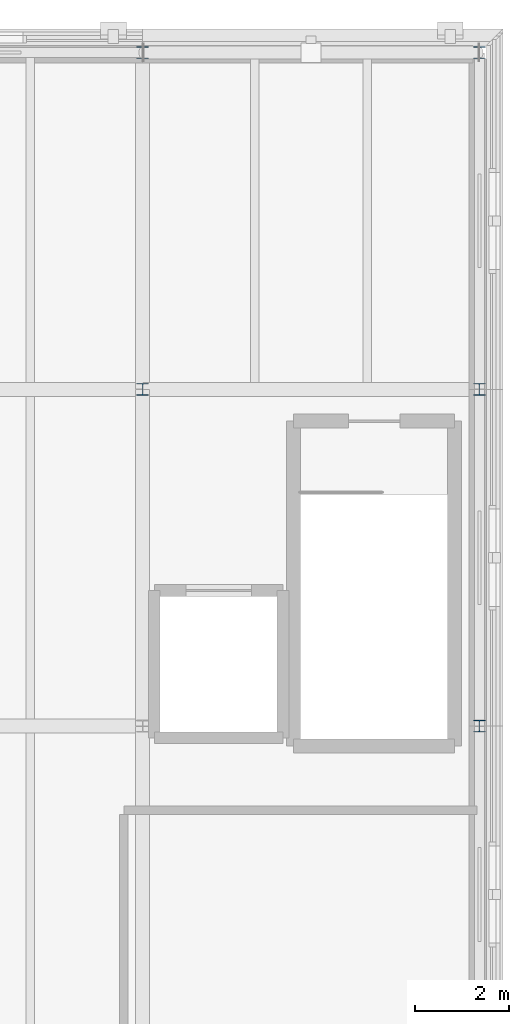
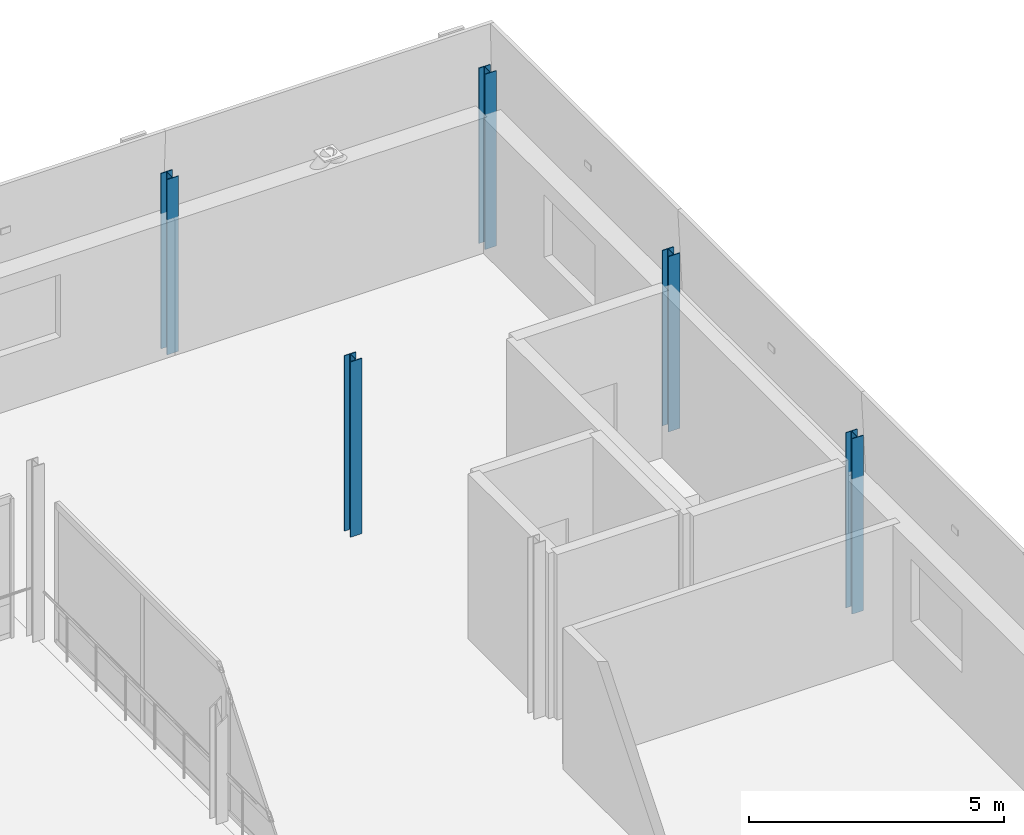
# One storey, part 17 of 115: 5 columns.
"""IFC4 building model written with IfcOpenShell, lengths in metres."""

from ifc_helpers import new_model, si_unit, direction, frame, origin, origin_2d, place, context, subcontext, project, spatial, i_section, extrude, material, material_profile, profile_set, type_object, element, save


model = new_model("IFC4")

# Units and contexts
model_context = context("Model", 3, precision=1e-05, world=origin(), true_north=direction((0.0, 1.0)))
body_context = subcontext(model_context, "Body", "Model", "MODEL_VIEW")
ifc_project = project(units=[si_unit("LENGTHUNIT", "METRE"), si_unit("AREAUNIT", "SQUARE_METRE"), si_unit("VOLUMEUNIT", "CUBIC_METRE"), si_unit("PLANEANGLEUNIT", "RADIAN"), si_unit("MASSUNIT", "GRAM", prefix="KILO")], contexts=[model_context])

# Site, building, storey
site_placement = place(None, origin())
site = spatial("IfcSite", under=ifc_project, at=site_placement, CompositionType="ELEMENT")
building_placement = place(site_placement, origin())
building = spatial("IfcBuilding", under=site, at=building_placement, Name="Narikvali Park Central Library", CompositionType="ELEMENT")
storey_placement = place(building_placement, frame((0.0, 0.0, 10.199951171875)))
storey = spatial("IfcBuildingStorey", under=building, at=storey_placement, Name="L02", CompositionType="ELEMENT", Elevation=10.199951171875)

# Columns
ifc_material = material(Name="Steel S355", Category="steel")
ifc_material_profile = material_profile(ifc_material, i_section(OverallWidth=0.260009765625, OverallDepth=0.260009765625, WebThickness=0.010009765625, FlangeThickness=0.017578125, FilletRadius=0.02392578125, at=origin_2d()), Name="HEB 260")
ifc_profile_set = profile_set([ifc_material_profile], Name="Steel S355")
column_type = type_object("IfcColumnType", Name="Steel Column HEB260", PredefinedType="COLUMN", material=ifc_profile_set)
for number, where, z_axis, x_axis, name in (
    (1, (158.39990234375, 108.0, 0.0), (0.0, 0.0, 1.0), (1.0, 0.0, 0.0), "V3 L02 Column (158.4,108.0)"),
    (2, (158.39990234375, 115.199951171875, 0.0), (0.0, 0.0, 1.0), (1.0, 0.0, 0.0), "V3 L02 Column (158.4,115.2)"),
    (3, (165.60009765625, 100.800048828125, 0.0), (0.0, 0.0, 1.0), (1.0, 0.0, 0.0), "V3 L02 Column (165.6,100.8)"),
    (4, (165.60009765625, 108.0, 0.0), (0.0, 0.0, 1.0), (1.0, 0.0, 0.0), "V3 L02 Column (165.6,108.0)"),
    (5, (165.60009765625, 115.199951171875, 0.0), (0.0, 0.0, 1.0), (1.0, 0.0, 0.0), "V3 L02 Column (165.6,115.2)"),
):
    element("IfcColumn", number, at=place(storey_placement, frame(where, z_axis=z_axis, x_axis=x_axis)), inside=storey, type_object=column_type, Name=name, PredefinedType="COLUMN", context=body_context, shape_type="SweptSolid", body=[
        extrude(i_section(OverallWidth=0.260009765625, OverallDepth=0.260009765625, WebThickness=0.010009765625, FlangeThickness=0.017578125, FilletRadius=0.02392578125, at=origin_2d()), origin(), (0.0, 0.0, 1.0), 4.199951171875),
    ])

save(model, "model.ifc")
